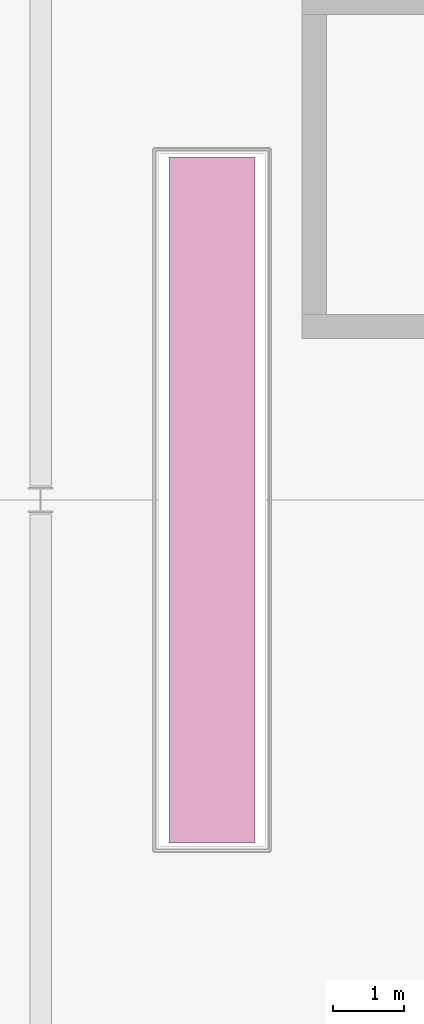
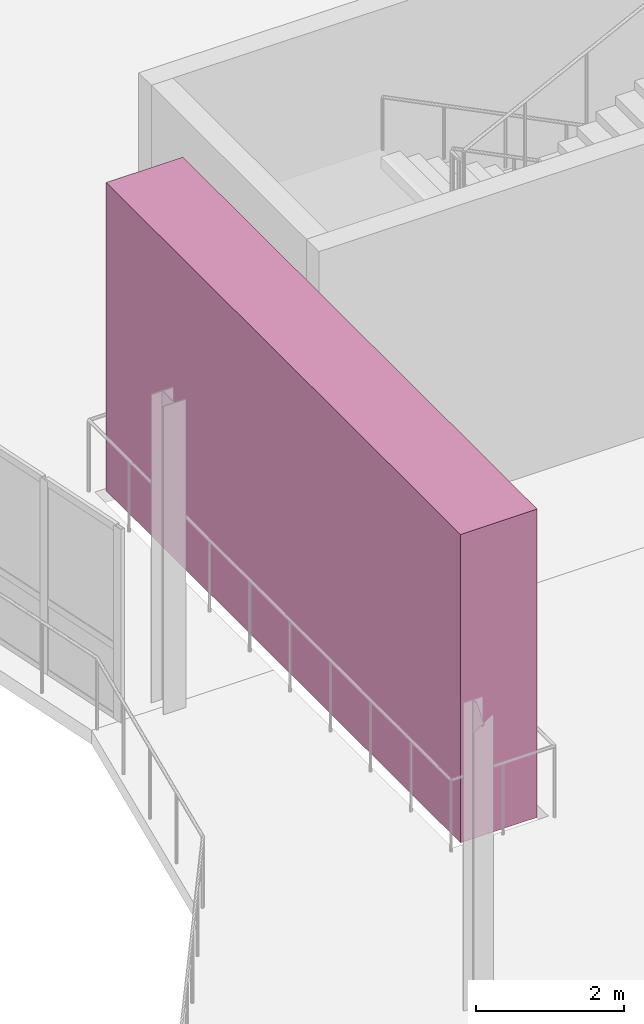
# One storey, part 91 of 91: 1 transport element.
"""IFC4 building model written with IfcOpenShell, lengths in metres."""

import ifcopenshell
import ifcopenshell.guid

model = None  # the IFC model being written
_history = None  # IfcOwnerHistory: only IFC2X3 demands one
_inside = {}  # id of a spatial element -> (the spatial element, [elements in it])
_under = {}  # id of a project, library or spatial element -> (it, [spatial elements below it])
_declared = {}  # id of a project -> (the project, [libraries it declares])
_typed = {}  # id of a type object -> (the type object, [elements of that type])
_made_of = {}  # id of a material, layer set ... -> (it, [elements and type objects made of it])


def new_model(schema):
    """Start an empty IFC model of exactly this schema.

    Asked for "IFC4X3", IfcOpenShell would pick the latest addendum, in which some entities
    have other attributes; the version numbers below select the first issue.
    IFC2X3 requires an IfcOwnerHistory on every rooted entity: one is made here for all.
    """
    global model, _history
    if schema == "IFC4X3":
        model = ifcopenshell.file(schema_version=(4, 3, 0, 0))
    else:
        model = ifcopenshell.file(schema=schema)
    _inside.clear()
    _under.clear()
    _declared.clear()
    _typed.clear()
    _made_of.clear()
    _history = None
    if model.schema == "IFC2X3":
        org = make("IfcOrganization", Name="unknown")
        user = make(
            "IfcPersonAndOrganization",
            ThePerson=make("IfcPerson", FamilyName="unknown"),
            TheOrganization=org,
        )
        app = make(
            "IfcApplication",
            ApplicationDeveloper=org,
            Version="unknown",
            ApplicationFullName="unknown",
            ApplicationIdentifier="unknown",
        )
        _history = make(
            "IfcOwnerHistory",
            OwningUser=user,
            OwningApplication=app,
            ChangeAction="ADDED",
            CreationDate=0,
        )
    return model


def make(cls, **values):
    """One entity of the class cls with the attributes given. An attribute that is None is left unset."""
    return model.create_entity(
        cls, **{name: value for name, value in values.items() if value is not None}
    )


def rooted(cls, **values):
    """An entity with a GlobalId (a new one), such as an element, a storey or a relation."""
    return make(cls, GlobalId=ifcopenshell.guid.new(), OwnerHistory=_history, **values)


def si_unit(unit_type, name, prefix=None):
    """IfcSIUnit, for example si_unit("LENGTHUNIT", "METRE", prefix="MILLI")."""
    return make("IfcSIUnit", UnitType=unit_type, Prefix=prefix, Name=name)


def assignment(units):
    """IfcUnitAssignment: the units of a project."""
    return None if units is None else make("IfcUnitAssignment", Units=units)


def point(xyz):
    """IfcCartesianPoint."""
    return None if xyz is None else make("IfcCartesianPoint", Coordinates=xyz)


def direction(xyz):
    """IfcDirection."""
    return None if xyz is None else make("IfcDirection", DirectionRatios=xyz)


def frame(location, z_axis=None, x_axis=None):
    """IfcAxis2Placement3D, a coordinate frame: its origin and axes. An axis left out is left unset."""
    return make(
        "IfcAxis2Placement3D",
        Location=point(location),
        Axis=direction(z_axis),
        RefDirection=direction(x_axis),
    )


def frame_2d(location, x_axis=None):
    """IfcAxis2Placement2D, a coordinate frame in the plane: its origin and x axis."""
    return make(
        "IfcAxis2Placement2D", Location=point(location), RefDirection=direction(x_axis)
    )


def origin():
    """The frame at (0, 0, 0) with its axes left unset."""
    return frame((0.0, 0.0, 0.0))


def origin_2d():
    """The frame at (0, 0) in the plane with its x axis left unset."""
    return frame_2d((0.0, 0.0))


def place(relative_to, where):
    """IfcLocalPlacement: puts the frame where relative to a parent placement (None: the world)."""
    return make(
        "IfcLocalPlacement", PlacementRelTo=relative_to, RelativePlacement=where
    )


def context(
    kind, dimensions, precision=None, world=None, true_north=None, identifier=None
):
    """IfcGeometricRepresentationContext, for example the 3D "Model" context."""
    return make(
        "IfcGeometricRepresentationContext",
        ContextIdentifier=identifier,
        ContextType=kind,
        CoordinateSpaceDimension=dimensions,
        Precision=precision,
        WorldCoordinateSystem=world,
        TrueNorth=true_north,
    )


def subcontext(parent, identifier, kind, view, scale=None):
    """IfcGeometricRepresentationSubContext, for example "Body" below "Model"."""
    return make(
        "IfcGeometricRepresentationSubContext",
        ContextIdentifier=identifier,
        ContextType=kind,
        ParentContext=parent,
        TargetScale=scale,
        TargetView=view,
    )


def project(units=None, contexts=None):
    """IfcProject with its units and contexts."""
    return rooted(
        "IfcProject",
        Name="project",
        RepresentationContexts=contexts,
        UnitsInContext=assignment(units),
    )


def spatial(cls, under=None, at=None, **own):
    """A site, building, storey or space (cls), placed at a placement, below another one or the project."""
    s = rooted(cls, ObjectPlacement=at, **own)
    if under is not None:
        _under.setdefault(under.id(), (under, []))[1].append(s)
    return s


def profile(cls, at=None, kind="AREA", **sizes):
    """A parametric profile (cls). Its sizes go by their IFC names, for example OverallWidth=200.0."""
    return make(cls, ProfileType=kind, Position=at, **sizes)


def rectangle(**sizes):
    """IfcRectangleProfileDef."""
    return profile("IfcRectangleProfileDef", **sizes)


def extrude(swept, where, along, depth):
    """IfcExtrudedAreaSolid: the profile swept, set in the frame where, extruded along a direction by depth."""
    return make(
        "IfcExtrudedAreaSolid",
        SweptArea=swept,
        Position=where,
        ExtrudedDirection=direction(along),
        Depth=depth,
    )


def shape(context_of_items, identifier, shape_type, items):
    """IfcShapeRepresentation: the items that make up one representation, for example the "Body"."""
    return make(
        "IfcShapeRepresentation",
        ContextOfItems=context_of_items,
        RepresentationIdentifier=identifier,
        RepresentationType=shape_type,
        Items=items,
    )


def material(Name=None, Category=None):
    """IfcMaterial."""
    return make("IfcMaterial", Name=Name, Category=Category)


def made_of(thing, what):
    """Note that an element or type object is made of a material, layer set ...; save() writes the relation."""
    if what is not None:
        _made_of.setdefault(what.id(), (what, []))[1].append(thing)
    return thing


def type_object(cls, material=None, **own):
    """A type object (cls), such as IfcWallType, which elements share."""
    return made_of(rooted(cls, **own), material)


def element(
    cls,
    number,
    at=None,
    inside=None,
    cuts=None,
    type_object=None,
    material=None,
    context=None,
    identifier="Body",
    shape_type=None,
    held_by="IfcProductDefinitionShape",
    body=None,
    shapes=None,
    **own,
):
    """One element of the class cls, such as IfcWall. Its Tag is "e" and its number.

    at: its placement. inside: the storey or other place that contains it. cuts: it is an
    opening in that element (IfcRelVoidsElement). A single representation is given by context,
    identifier, shape_type and body (its items); several are given by shapes. held_by: the class
    of the entity that holds the representations. save() writes the other relations.
    """
    e = rooted(cls, Tag="e%d" % number, ObjectPlacement=at, **own)
    if body is not None:
        shapes = [shape(context, identifier, shape_type, body)]
    if shapes is not None:
        e.Representation = make(held_by, Representations=shapes)
    if inside is not None:
        _inside.setdefault(inside.id(), (inside, []))[1].append(e)
    if cuts is not None:
        rooted(
            "IfcRelVoidsElement", RelatingBuildingElement=cuts, RelatedOpeningElement=e
        )
    if type_object is not None:
        _typed.setdefault(type_object.id(), (type_object, []))[1].append(e)
    return made_of(e, material)


def aggregate(whole, parts):
    """IfcRelAggregates: a whole, such as a stair, and the parts it consists of."""
    return rooted("IfcRelAggregates", RelatingObject=whole, RelatedObjects=parts)


def save(model, path):
    """Write the relations noted so far, then the file.

    IfcRelAggregates (storeys below a building ...), IfcRelContainedInSpatialStructure (elements
    in a storey), IfcRelDefinesByType, IfcRelAssociatesMaterial and IfcRelDeclares: one each for
    every whole, place, type object, material and project.
    """
    for whole, parts in _under.values():
        aggregate(whole, parts)
    for where, things in _inside.values():
        rooted(
            "IfcRelContainedInSpatialStructure",
            RelatedElements=things,
            RelatingStructure=where,
        )
    for kind, things in _typed.values():
        rooted("IfcRelDefinesByType", RelatedObjects=things, RelatingType=kind)
    for what, things in _made_of.values():
        rooted("IfcRelAssociatesMaterial", RelatedObjects=things, RelatingMaterial=what)
    for by, libraries in _declared.values():
        rooted("IfcRelDeclares", RelatingContext=by, RelatedDefinitions=libraries)
    model.write(path)


model = new_model("IFC4")

# Units and contexts
model_context = context("Model", 3, precision=1e-05, world=origin(), true_north=direction((0.0, 1.0)))
body_context = subcontext(model_context, "Body", "Model", "MODEL_VIEW")
ifc_project = project(units=[si_unit("LENGTHUNIT", "METRE"), si_unit("AREAUNIT", "SQUARE_METRE"), si_unit("VOLUMEUNIT", "CUBIC_METRE"), si_unit("PLANEANGLEUNIT", "RADIAN"), si_unit("MASSUNIT", "GRAM", prefix="KILO"), si_unit("THERMODYNAMICTEMPERATUREUNIT", "KELVIN")], contexts=[model_context])

# Site, building, storey
site_placement = place(None, origin())
site = spatial("IfcSite", under=ifc_project, at=site_placement, CompositionType="ELEMENT")
building_placement = place(site_placement, origin())
building = spatial("IfcBuilding", under=site, at=building_placement, Name="Lustrewick Department Store", CompositionType="ELEMENT")
storey_placement = place(building_placement, frame((0.0, 0.0, 21.60009765625)))
storey = spatial("IfcBuildingStorey", under=building, at=storey_placement, Name="L05", CompositionType="ELEMENT", Elevation=21.60009765625)

# Transport element
ifc_material = material(Name="Brushed stainless steel and safety glass escalator", Category="steel")
transport_element_type = type_object("IfcTransportElementType", Name="ESC-30", PredefinedType="ESCALATOR", material=ifc_material)
transport_element_placement = place(storey_placement, frame((44.39990234375, 67.199951171875, -0.000244140625), z_axis=(0.0, 0.0, 1.0), x_axis=(1.0, 0.0, 0.0)))
element("IfcTransportElement", 1, at=transport_element_placement, inside=storey, type_object=transport_element_type, Name="L05 Reversible Escalator ESC-05", PredefinedType="ESCALATOR", context=body_context, shape_type="SweptSolid", body=[
    extrude(rectangle(XDim=1.199951171875, YDim=9.60009765625, at=origin_2d()), origin(), (0.0, 0.0, 1.0), 5.10009765625),
])

save(model, "model.ifc")
